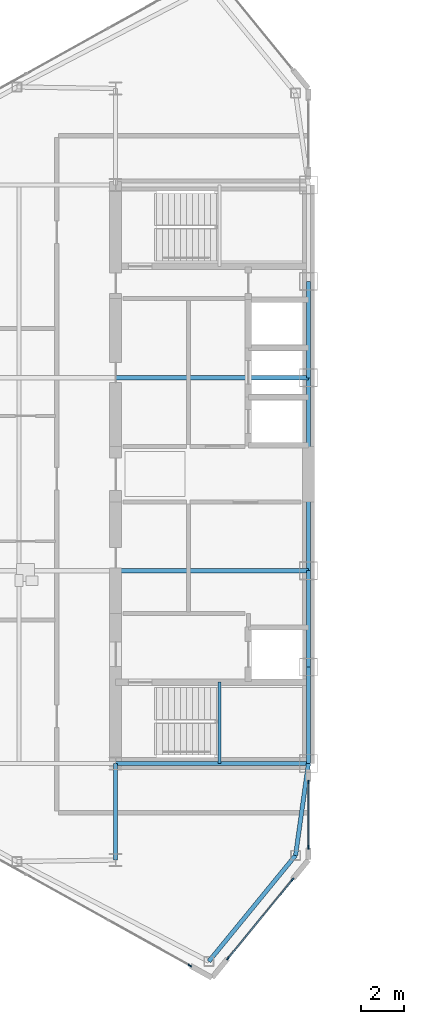
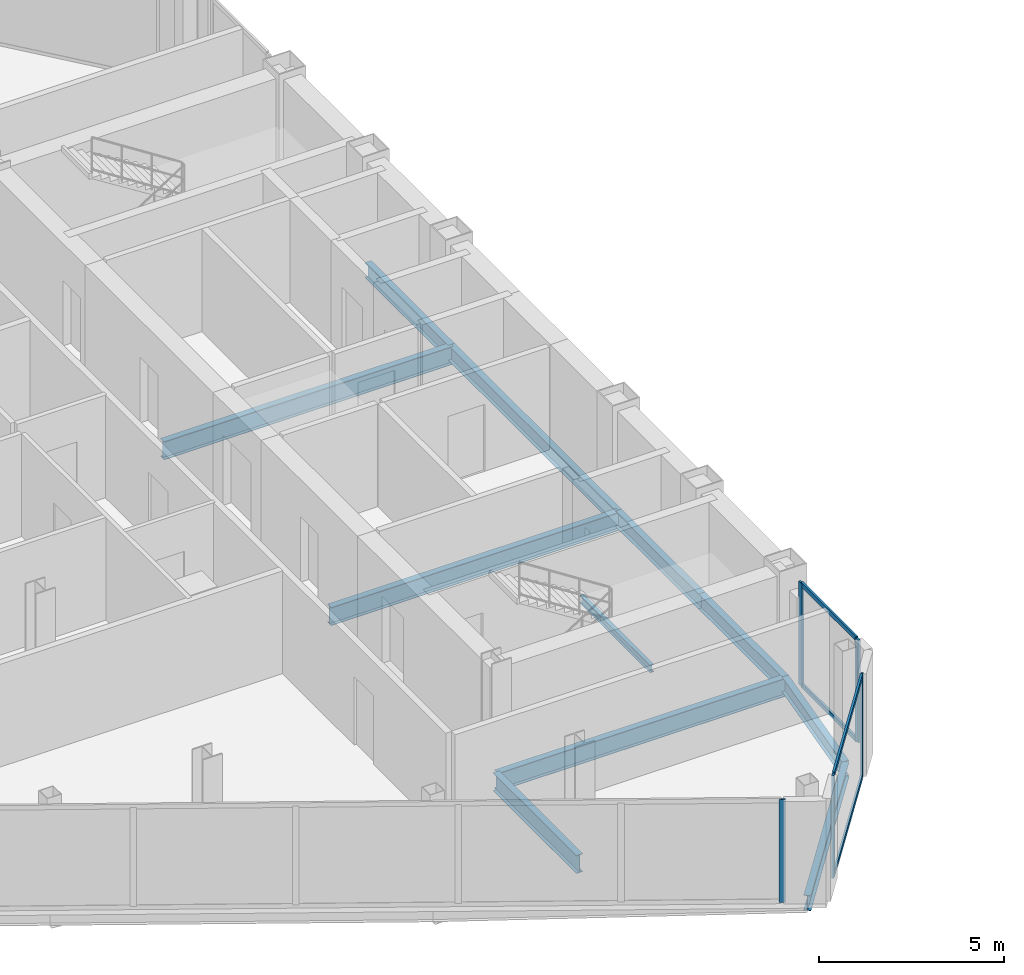
# One storey, part 7 of 25: 11 beams, 9 members, 3 elements without a shape of their own.
"""IFC4 building model written with IfcOpenShell, lengths in metres."""

import ifcopenshell
import ifcopenshell.guid

model = None  # the IFC model being written
_history = None  # IfcOwnerHistory: only IFC2X3 demands one
_inside = {}  # id of a spatial element -> (the spatial element, [elements in it])
_under = {}  # id of a project, library or spatial element -> (it, [spatial elements below it])
_declared = {}  # id of a project -> (the project, [libraries it declares])
_typed = {}  # id of a type object -> (the type object, [elements of that type])
_made_of = {}  # id of a material, layer set ... -> (it, [elements and type objects made of it])


def new_model(schema):
    """Start an empty IFC model of exactly this schema.

    Asked for "IFC4X3", IfcOpenShell would pick the latest addendum, in which some entities
    have other attributes; the version numbers below select the first issue.
    IFC2X3 requires an IfcOwnerHistory on every rooted entity: one is made here for all.
    """
    global model, _history
    if schema == "IFC4X3":
        model = ifcopenshell.file(schema_version=(4, 3, 0, 0))
    else:
        model = ifcopenshell.file(schema=schema)
    _inside.clear()
    _under.clear()
    _declared.clear()
    _typed.clear()
    _made_of.clear()
    _history = None
    if model.schema == "IFC2X3":
        org = make("IfcOrganization", Name="unknown")
        user = make(
            "IfcPersonAndOrganization",
            ThePerson=make("IfcPerson", FamilyName="unknown"),
            TheOrganization=org,
        )
        app = make(
            "IfcApplication",
            ApplicationDeveloper=org,
            Version="unknown",
            ApplicationFullName="unknown",
            ApplicationIdentifier="unknown",
        )
        _history = make(
            "IfcOwnerHistory",
            OwningUser=user,
            OwningApplication=app,
            ChangeAction="ADDED",
            CreationDate=0,
        )
    return model


def make(cls, **values):
    """One entity of the class cls with the attributes given. An attribute that is None is left unset."""
    return model.create_entity(
        cls, **{name: value for name, value in values.items() if value is not None}
    )


def rooted(cls, **values):
    """An entity with a GlobalId (a new one), such as an element, a storey or a relation."""
    return make(cls, GlobalId=ifcopenshell.guid.new(), OwnerHistory=_history, **values)


def si_unit(unit_type, name, prefix=None):
    """IfcSIUnit, for example si_unit("LENGTHUNIT", "METRE", prefix="MILLI")."""
    return make("IfcSIUnit", UnitType=unit_type, Prefix=prefix, Name=name)


def assignment(units):
    """IfcUnitAssignment: the units of a project."""
    return None if units is None else make("IfcUnitAssignment", Units=units)


def point(xyz):
    """IfcCartesianPoint."""
    return None if xyz is None else make("IfcCartesianPoint", Coordinates=xyz)


def direction(xyz):
    """IfcDirection."""
    return None if xyz is None else make("IfcDirection", DirectionRatios=xyz)


def frame(location, z_axis=None, x_axis=None):
    """IfcAxis2Placement3D, a coordinate frame: its origin and axes. An axis left out is left unset."""
    return make(
        "IfcAxis2Placement3D",
        Location=point(location),
        Axis=direction(z_axis),
        RefDirection=direction(x_axis),
    )


def frame_2d(location, x_axis=None):
    """IfcAxis2Placement2D, a coordinate frame in the plane: its origin and x axis."""
    return make(
        "IfcAxis2Placement2D", Location=point(location), RefDirection=direction(x_axis)
    )


def origin():
    """The frame at (0, 0, 0) with its axes left unset."""
    return frame((0.0, 0.0, 0.0))


def origin_2d():
    """The frame at (0, 0) in the plane with its x axis left unset."""
    return frame_2d((0.0, 0.0))


def place(relative_to, where):
    """IfcLocalPlacement: puts the frame where relative to a parent placement (None: the world)."""
    return make(
        "IfcLocalPlacement", PlacementRelTo=relative_to, RelativePlacement=where
    )


def context(
    kind, dimensions, precision=None, world=None, true_north=None, identifier=None
):
    """IfcGeometricRepresentationContext, for example the 3D "Model" context."""
    return make(
        "IfcGeometricRepresentationContext",
        ContextIdentifier=identifier,
        ContextType=kind,
        CoordinateSpaceDimension=dimensions,
        Precision=precision,
        WorldCoordinateSystem=world,
        TrueNorth=true_north,
    )


def subcontext(parent, identifier, kind, view, scale=None):
    """IfcGeometricRepresentationSubContext, for example "Body" below "Model"."""
    return make(
        "IfcGeometricRepresentationSubContext",
        ContextIdentifier=identifier,
        ContextType=kind,
        ParentContext=parent,
        TargetScale=scale,
        TargetView=view,
    )


def project(units=None, contexts=None):
    """IfcProject with its units and contexts."""
    return rooted(
        "IfcProject",
        Name="project",
        RepresentationContexts=contexts,
        UnitsInContext=assignment(units),
    )


def spatial(cls, under=None, at=None, **own):
    """A site, building, storey or space (cls), placed at a placement, below another one or the project."""
    s = rooted(cls, ObjectPlacement=at, **own)
    if under is not None:
        _under.setdefault(under.id(), (under, []))[1].append(s)
    return s


def profile(cls, at=None, kind="AREA", **sizes):
    """A parametric profile (cls). Its sizes go by their IFC names, for example OverallWidth=200.0."""
    return make(cls, ProfileType=kind, Position=at, **sizes)


def rectangle(**sizes):
    """IfcRectangleProfileDef."""
    return profile("IfcRectangleProfileDef", **sizes)


def i_section(**sizes):
    """IfcIShapeProfileDef."""
    return profile("IfcIShapeProfileDef", **sizes)


def extrude(swept, where, along, depth):
    """IfcExtrudedAreaSolid: the profile swept, set in the frame where, extruded along a direction by depth."""
    return make(
        "IfcExtrudedAreaSolid",
        SweptArea=swept,
        Position=where,
        ExtrudedDirection=direction(along),
        Depth=depth,
    )


def shape(context_of_items, identifier, shape_type, items):
    """IfcShapeRepresentation: the items that make up one representation, for example the "Body"."""
    return make(
        "IfcShapeRepresentation",
        ContextOfItems=context_of_items,
        RepresentationIdentifier=identifier,
        RepresentationType=shape_type,
        Items=items,
    )


def source(mapping_origin, context_of_items, identifier, shape_type, items):
    """IfcRepresentationMap: a shape defined once, which mapped items show again and again."""
    return make(
        "IfcRepresentationMap",
        MappingOrigin=mapping_origin,
        MappedRepresentation=shape(context_of_items, identifier, shape_type, items),
    )


def transform(
    local_origin,
    x_axis=None,
    y_axis=None,
    z_axis=None,
    scale=None,
    scale2=None,
    scale3=None,
    uniform=True,
):
    """IfcCartesianTransformationOperator3D, or its non-uniform kind. x_axis, y_axis, z_axis: its Axis1, 2, 3."""
    if uniform:
        return make(
            "IfcCartesianTransformationOperator3D",
            Axis1=direction(x_axis),
            Axis2=direction(y_axis),
            LocalOrigin=point(local_origin),
            Scale=scale,
            Axis3=direction(z_axis),
        )
    return make(
        "IfcCartesianTransformationOperator3DnonUniform",
        Axis1=direction(x_axis),
        Axis2=direction(y_axis),
        LocalOrigin=point(local_origin),
        Scale=scale,
        Axis3=direction(z_axis),
        Scale2=scale2,
        Scale3=scale3,
    )


def mapped(mapping_source, mapping_target):
    """IfcMappedItem: shows the shape of a source again, moved by a transform."""
    return make(
        "IfcMappedItem", MappingSource=mapping_source, MappingTarget=mapping_target
    )


def material(Name=None, Category=None):
    """IfcMaterial."""
    return make("IfcMaterial", Name=Name, Category=Category)


def layer(
    of_material, thickness, ventilated=None, Name=None, Category=None, Priority=None
):
    """IfcMaterialLayer: one layer of a wall or slab, of a material (None: an air gap)."""
    return make(
        "IfcMaterialLayer",
        Material=of_material,
        LayerThickness=thickness,
        IsVentilated=ventilated,
        Name=Name,
        Category=Category,
        Priority=Priority,
    )


def layer_set(layers, Name=None):
    """IfcMaterialLayerSet."""
    return make("IfcMaterialLayerSet", MaterialLayers=layers, LayerSetName=Name)


def material_profile(
    of_material, cross_section, Name=None, Category=None, Priority=None
):
    """IfcMaterialProfile: a cross section and its material."""
    return make(
        "IfcMaterialProfile",
        Name=Name,
        Material=of_material,
        Profile=cross_section,
        Priority=Priority,
        Category=Category,
    )


def profile_set(profiles, Name=None, composite=None):
    """IfcMaterialProfileSet."""
    return make(
        "IfcMaterialProfileSet",
        Name=Name,
        MaterialProfiles=profiles,
        CompositeProfile=composite,
    )


def made_of(thing, what):
    """Note that an element or type object is made of a material, layer set ...; save() writes the relation."""
    if what is not None:
        _made_of.setdefault(what.id(), (what, []))[1].append(thing)
    return thing


def type_object(cls, material=None, **own):
    """A type object (cls), such as IfcWallType, which elements share."""
    return made_of(rooted(cls, **own), material)


def type_shapes(of_type, sources):
    """Give a type object the sources (RepresentationMaps) that its elements show as mapped items."""
    of_type.RepresentationMaps = sources


def element(
    cls,
    number,
    at=None,
    inside=None,
    cuts=None,
    type_object=None,
    material=None,
    context=None,
    identifier="Body",
    shape_type=None,
    held_by="IfcProductDefinitionShape",
    body=None,
    shapes=None,
    **own,
):
    """One element of the class cls, such as IfcWall. Its Tag is "e" and its number.

    at: its placement. inside: the storey or other place that contains it. cuts: it is an
    opening in that element (IfcRelVoidsElement). A single representation is given by context,
    identifier, shape_type and body (its items); several are given by shapes. held_by: the class
    of the entity that holds the representations. save() writes the other relations.
    """
    e = rooted(cls, Tag="e%d" % number, ObjectPlacement=at, **own)
    if body is not None:
        shapes = [shape(context, identifier, shape_type, body)]
    if shapes is not None:
        e.Representation = make(held_by, Representations=shapes)
    if inside is not None:
        _inside.setdefault(inside.id(), (inside, []))[1].append(e)
    if cuts is not None:
        rooted(
            "IfcRelVoidsElement", RelatingBuildingElement=cuts, RelatedOpeningElement=e
        )
    if type_object is not None:
        _typed.setdefault(type_object.id(), (type_object, []))[1].append(e)
    return made_of(e, material)


def aggregate(whole, parts):
    """IfcRelAggregates: a whole, such as a stair, and the parts it consists of."""
    return rooted("IfcRelAggregates", RelatingObject=whole, RelatedObjects=parts)


def save(model, path):
    """Write the relations noted so far, then the file.

    IfcRelAggregates (storeys below a building ...), IfcRelContainedInSpatialStructure (elements
    in a storey), IfcRelDefinesByType, IfcRelAssociatesMaterial and IfcRelDeclares: one each for
    every whole, place, type object, material and project.
    """
    for whole, parts in _under.values():
        aggregate(whole, parts)
    for where, things in _inside.values():
        rooted(
            "IfcRelContainedInSpatialStructure",
            RelatedElements=things,
            RelatingStructure=where,
        )
    for kind, things in _typed.values():
        rooted("IfcRelDefinesByType", RelatedObjects=things, RelatingType=kind)
    for what, things in _made_of.values():
        rooted("IfcRelAssociatesMaterial", RelatedObjects=things, RelatingMaterial=what)
    for by, libraries in _declared.values():
        rooted("IfcRelDeclares", RelatingContext=by, RelatedDefinitions=libraries)
    model.write(path)


model = new_model("IFC4")

# Units and contexts
model_context = context("Model", 3, precision=1e-05, world=origin(), true_north=direction((0.0, 1.0)))
body_context = subcontext(model_context, "Body", "Model", "MODEL_VIEW")
ifc_project = project(units=[si_unit("LENGTHUNIT", "METRE"), si_unit("AREAUNIT", "SQUARE_METRE"), si_unit("VOLUMEUNIT", "CUBIC_METRE"), si_unit("PLANEANGLEUNIT", "RADIAN"), si_unit("MASSUNIT", "GRAM", prefix="KILO")], contexts=[model_context])

# Site, building, storey
site_placement = place(None, origin())
site = spatial("IfcSite", under=ifc_project, at=site_placement, CompositionType="ELEMENT")
building_placement = place(site_placement, origin())
building = spatial("IfcBuilding", under=site, at=building_placement, Name="Seokmaru Belvedere", CompositionType="ELEMENT")
storey_placement = place(building_placement, frame((0.0, 0.0, 188.699951171875)))
storey = spatial("IfcBuildingStorey", under=building, at=storey_placement, Name="L50", CompositionType="ELEMENT", Elevation=188.699951171875)

# Beams
ifc_material_1 = material(Name="Steel SM355 (355 MPa)", Category="steel")
ifc_material_profile_1 = material_profile(ifc_material_1, i_section(OverallWidth=0.199951171875, OverallDepth=0.5, WebThickness=0.010009765625, FlangeThickness=0.01611328125, at=origin_2d()), Name="H-500x200x10x16")
ifc_profile_set_1 = profile_set([ifc_material_profile_1], Name="Steel SM355 (355 MPa)")
beam_type_1 = type_object("IfcBeamType", Name="Perimeter Spandrel Beam H-500", PredefinedType="SPANDREL", material=ifc_profile_set_1)
shared_shape_1 = source(origin(), body_context, "Body", "SweptSolid", [
    extrude(i_section(OverallWidth=0.199951171875, OverallDepth=0.5, WebThickness=0.010009765625, FlangeThickness=0.01611328125, at=origin_2d()), origin(), (0.0, 0.0, 1.0), 4.5),
])
for number, where, z_axis, x_axis, name in (
    (1, (-27.5, -13.5, -0.469970703125), (0.0, 1.0, 0.0), (-1.0, 0.0, 0.0), "L50 W Portal Spine Spandrel 1"),
    (2, (-27.5, -9.0, -0.469970703125), (0.0, 1.0, 0.0), (-1.0, 0.0, 0.0), "L50 W Portal Spine Spandrel 2"),
    (3, (-27.5, 4.5, -0.469970703125), (0.0, 1.0, 0.0), (-1.0, 0.0, 0.0), "L50 W Portal Spine Spandrel 4"),
):
    element("IfcBeam", number, at=place(storey_placement, frame(where, z_axis=z_axis, x_axis=x_axis)), inside=storey, type_object=beam_type_1, Name=name, PredefinedType="SPANDREL", context=body_context, shape_type="MappedRepresentation", body=[
        mapped(shared_shape_1, transform((0.0, 0.0, 0.0), scale=1.0)),
    ])
shared_shape_2 = source(origin(), body_context, "Body", "SweptSolid", [
    extrude(i_section(OverallWidth=0.199951171875, OverallDepth=0.5, WebThickness=0.010009765625, FlangeThickness=0.01611328125, at=origin_2d()), origin(), (0.0, 0.0, 1.0), 9.0),
])
beam_1_placement = place(storey_placement, frame((-27.5, -4.5, -0.469970703125), z_axis=(0.0, 1.0, 0.0), x_axis=(-1.0, 0.0, 0.0)))
element("IfcBeam", 4, at=beam_1_placement, inside=storey, type_object=beam_type_1, Name="L50 W Portal Spine Spandrel 3", PredefinedType="SPANDREL", context=body_context, shape_type="MappedRepresentation", body=[
    mapped(shared_shape_2, transform((0.0, 0.0, 0.0), scale=1.0)),
])
ifc_material_profile_2 = material_profile(ifc_material_1, i_section(OverallWidth=0.199951171875, OverallDepth=0.60009765625, WebThickness=0.010986328125, FlangeThickness=0.01708984375, at=origin_2d()), Name="H-600x200x11x17")
ifc_profile_set_2 = profile_set([ifc_material_profile_2], Name="Steel SM355 (355 MPa)")
beam_type_2 = type_object("IfcBeamType", Name="Primary Floor Girder H-600", PredefinedType="BEAM", material=ifc_profile_set_2)
shared_shape_3 = source(origin(), body_context, "Body", "SweptSolid", [
    extrude(i_section(OverallWidth=0.199951171875, OverallDepth=0.60009765625, WebThickness=0.010986328125, FlangeThickness=0.01708984375, at=origin_2d()), origin(), (0.0, 0.0, 1.0), 9.0),
])
for number, where, z_axis, x_axis, name in (
    (5, (-36.5, -13.5, -0.52001953125), (1.0, 0.0, 0.0), (0.0, 1.0, 0.0), "L50 W Core Tie Girder 1"),
    (6, (-36.5, -4.5, -0.52001953125), (1.0, 0.0, 0.0), (0.0, 1.0, 0.0), "L50 W Core Tie Girder 2"),
    (7, (-36.5, 4.5, -0.52001953125), (1.0, 0.0, 0.0), (0.0, 1.0, 0.0), "L50 W Core Tie Girder 3"),
):
    element("IfcBeam", number, at=place(storey_placement, frame(where, z_axis=z_axis, x_axis=x_axis)), inside=storey, type_object=beam_type_2, Name=name, PredefinedType="BEAM", context=body_context, shape_type="MappedRepresentation", body=[
        mapped(shared_shape_3, transform((0.0, 0.0, 0.0), scale=1.0)),
    ])
shared_shape_4 = source(origin(), body_context, "Body", "SweptSolid", [
    extrude(i_section(OverallWidth=0.199951171875, OverallDepth=0.60009765625, WebThickness=0.010986328125, FlangeThickness=0.01708984375, at=origin_2d()), origin(), (0.0, 0.0, 1.0), 4.5),
])
type_shapes(beam_type_2, [shared_shape_3, shared_shape_4])
beam_2_placement = place(storey_placement, frame((-36.5, -18.0, -0.52001953125), z_axis=(0.0, 1.0, 0.0), x_axis=(-1.0, 0.0, 0.0)))
element("IfcBeam", 8, at=beam_2_placement, inside=storey, type_object=beam_type_2, Name="L50 W Core Shoulder Girder S", PredefinedType="BEAM", context=body_context, shape_type="MappedRepresentation", body=[
    mapped(shared_shape_4, transform((0.0, 0.0, 0.0), scale=1.0)),
])
shared_shape_5 = source(origin(), body_context, "Body", "SweptSolid", [
    extrude(i_section(OverallWidth=0.199951171875, OverallDepth=0.5, WebThickness=0.010009765625, FlangeThickness=0.01611328125, at=origin_2d()), origin(), (0.0, 0.0, 1.0), 6.390380859375),
])
beam_3_placement = place(storey_placement, frame((-32.146728515625, -22.731689453125, -0.469970703125), z_axis=(0.63324403161, 0.7739521926, 0.0), x_axis=(-0.7739521926, 0.63324403161, 0.0)))
element("IfcBeam", 9, at=beam_3_placement, inside=storey, type_object=beam_type_1, Name="L50 W Shoulder Chamfer Spandrel S", PredefinedType="SPANDREL", context=body_context, shape_type="MappedRepresentation", body=[
    mapped(shared_shape_5, transform((0.0, 0.0, 0.0), scale=1.0)),
])
shared_shape_6 = source(origin(), body_context, "Body", "SweptSolid", [
    extrude(i_section(OverallWidth=0.199951171875, OverallDepth=0.5, WebThickness=0.010009765625, FlangeThickness=0.01611328125, at=origin_2d()), origin(), (0.0, 0.0, 1.0), 4.32763671875),
])
type_shapes(beam_type_1, [shared_shape_1, shared_shape_2, shared_shape_5, shared_shape_6])
beam_4_placement = place(storey_placement, frame((-28.10009765625, -17.785888671875, -0.469970703125), z_axis=(0.138664443237, 0.990339422714, 0.0), x_axis=(-0.990339422714, 0.138664443237, 0.0)))
element("IfcBeam", 10, at=beam_4_placement, inside=storey, type_object=beam_type_1, Name="L50 W Shoulder Spine Spandrel S", PredefinedType="SPANDREL", context=body_context, shape_type="MappedRepresentation", body=[
    mapped(shared_shape_6, transform((0.0, 0.0, 0.0), scale=1.0)),
])

# Curtain wall, members
ifc_material_2 = material(Name="Bronze Triple Insulating Glass", Category="glass")
ifc_layer = layer(ifc_material_2, 0.179931640625)
ifc_layer_set = layer_set([ifc_layer], Name="Bronze Triple Insulating Glass")
curtain_wall_type = type_object("IfcCurtainWallType", Name="High-Rise Wind-Corner Curtain Wall System CW-5", PredefinedType="NOTDEFINED", material=ifc_layer_set)
curtain_wall_1_placement = place(storey_placement, origin())
curtain_wall_1 = element("IfcCurtainWall", 11, at=curtain_wall_1_placement, inside=storey, type_object=curtain_wall_type, Name="L50 Curtain Wall WSP_1", PredefinedType="NOTDEFINED")
ifc_material_3 = material(Name="Anodised Bronze Aluminium", Category="aluminium")
ifc_material_profile_3 = material_profile(ifc_material_3, rectangle(XDim=0.06494140625, YDim=0.14990234375, at=origin_2d()), Name="CW-T-65x150")
ifc_profile_set_3 = profile_set([ifc_material_profile_3], Name="Anodised Bronze Aluminium")
member_type_1 = type_object("IfcMemberType", Name="Bronze Unitised Transom 65x150", PredefinedType="USERDEFINED", material=ifc_profile_set_3)
shared_shape_7 = source(origin(), body_context, "Body", "SweptSolid", [
    extrude(rectangle(XDim=0.06494140625, YDim=0.14990234375, at=origin_2d()), origin(), (0.0, 0.0, 1.0), 2.969970703125),
])
member_1_placement = place(storey_placement, frame((-27.5, -17.364990234375, 0.032470703125), z_axis=(0.0, 1.0, 0.0), x_axis=(-1.0, 0.0, 0.0)))
member_1 = element("IfcMember", 12, at=member_1_placement, type_object=member_type_1, Name="CW:L50:WSP_1 Continuous Transom 1", ObjectType="TRANSOM", PredefinedType="USERDEFINED", context=body_context, shape_type="MappedRepresentation", body=[
    mapped(shared_shape_7, transform((0.0, 0.0, 0.0), scale=1.0)),
])
member_2_placement = place(storey_placement, frame((-27.5, -17.364990234375, 3.34765625), z_axis=(0.0, 1.0, 0.0), x_axis=(-1.0, 0.0, 0.0)))
member_2 = element("IfcMember", 13, at=member_2_placement, type_object=member_type_1, Name="CW:L50:WSP_1 Continuous Transom 2", ObjectType="TRANSOM", PredefinedType="USERDEFINED", context=body_context, shape_type="MappedRepresentation", body=[
    mapped(shared_shape_7, transform((0.0, 0.0, 0.0), scale=1.0)),
])

curtain_wall_2_placement = place(storey_placement, origin())
curtain_wall_2 = element("IfcCurtainWall", 14, at=curtain_wall_2_placement, inside=storey, type_object=curtain_wall_type, Name="L50 Curtain Wall WF6", PredefinedType="NOTDEFINED")
shared_shape_8 = source(origin(), body_context, "Body", "SweptSolid", [
    extrude(rectangle(XDim=0.06494140625, YDim=0.14990234375, at=origin_2d()), origin(), (0.0, 0.0, 1.0), 4.67626953125),
])
type_shapes(member_type_1, [shared_shape_7, shared_shape_8])
member_3_placement = place(storey_placement, frame((-31.230712890625, -22.5595703125, 0.032470703125), z_axis=(0.633277591216, 0.773924733074, 0.0), x_axis=(-0.773924733074, 0.633277591216, 0.0)))
member_3 = element("IfcMember", 15, at=member_3_placement, type_object=member_type_1, Name="CW:L50:WF6 Continuous Transom 1", ObjectType="TRANSOM", PredefinedType="USERDEFINED", context=body_context, shape_type="MappedRepresentation", body=[
    mapped(shared_shape_8, transform((0.0, 0.0, 0.0), scale=1.0)),
])
member_4_placement = place(storey_placement, frame((-31.230712890625, -22.5595703125, 3.34765625), z_axis=(0.633277591216, 0.773924733074, 0.0), x_axis=(-0.773924733074, 0.633277591216, 0.0)))
member_4 = element("IfcMember", 16, at=member_4_placement, type_object=member_type_1, Name="CW:L50:WF6 Continuous Transom 2", ObjectType="TRANSOM", PredefinedType="USERDEFINED", context=body_context, shape_type="MappedRepresentation", body=[
    mapped(shared_shape_8, transform((0.0, 0.0, 0.0), scale=1.0)),
])

# Member
ifc_material_profile_4 = material_profile(ifc_material_3, rectangle(XDim=0.06494140625, YDim=0.179931640625, at=origin_2d()), Name="CW-M-65x180")
ifc_profile_set_4 = profile_set([ifc_material_profile_4], Name="Anodised Bronze Aluminium")
member_type_2 = type_object("IfcMemberType", Name="Bronze Unitised Mullion 65x180", PredefinedType="MULLION", material=ifc_profile_set_4)
shared_shape_9 = source(origin(), body_context, "Body", "SweptSolid", [
    extrude(rectangle(XDim=0.06494140625, YDim=0.179931640625, at=origin_2d()), origin(), (0.0, 0.0, 1.0), 3.380126953125),
])
type_shapes(member_type_2, [shared_shape_9])
member_5_placement = place(storey_placement, frame((-27.5, -17.3974609375, 0.0), z_axis=(0.0, 0.0, 1.0), x_axis=(-1.0, 0.0, 0.0)))
member_5 = element("IfcMember", 17, at=member_5_placement, type_object=member_type_2, Name="CW:L50:WSP_1 Mullion 1", PredefinedType="MULLION", context=body_context, shape_type="MappedRepresentation", body=[
    mapped(shared_shape_9, transform((0.0, 0.0, 0.0), scale=1.0)),
])

member_6_placement = place(storey_placement, frame((-27.5, -14.362548828125, 0.0), z_axis=(0.0, 0.0, 1.0), x_axis=(-1.0, 0.0, 0.0)))
member_6 = element("IfcMember", 18, at=member_6_placement, type_object=member_type_2, Name="CW:L50:WSP_1 Mullion 2", PredefinedType="MULLION", context=body_context, shape_type="MappedRepresentation", body=[
    mapped(shared_shape_9, transform((0.0, 0.0, 0.0), scale=1.0)),
])

aggregate(curtain_wall_1, [member_5, member_6, member_1, member_2])

# Curtain wall, member
curtain_wall_3_placement = place(storey_placement, origin())
curtain_wall_3 = element("IfcCurtainWall", 19, at=curtain_wall_3_placement, inside=storey, type_object=curtain_wall_type, Name="L50 Curtain Wall WF5", PredefinedType="NOTDEFINED")
member_7_placement = place(storey_placement, frame((-33.033447265625, -22.92529296875, 0.0), z_axis=(0.0, 0.0, 1.0), x_axis=(0.486047125147, 0.873932601598, 0.0)))
member_7 = element("IfcMember", 20, at=member_7_placement, type_object=member_type_2, Name="CW:L50:WF5 Mullion 10", PredefinedType="MULLION", context=body_context, shape_type="MappedRepresentation", body=[
    mapped(shared_shape_9, transform((0.0, 0.0, 0.0), scale=1.0)),
])
aggregate(curtain_wall_3, [member_7])

# Member
member_8_placement = place(storey_placement, frame((-31.251220703125, -22.584716796875, 0.0), z_axis=(0.0, 0.0, 1.0), x_axis=(-0.773944112379, 0.633253907144, 0.0)))
member_8 = element("IfcMember", 21, at=member_8_placement, type_object=member_type_2, Name="CW:L50:WF6 Mullion 1", PredefinedType="MULLION", context=body_context, shape_type="MappedRepresentation", body=[
    mapped(shared_shape_9, transform((0.0, 0.0, 0.0), scale=1.0)),
])

member_9_placement = place(storey_placement, frame((-28.248779296875, -18.915283203125, 0.0), z_axis=(0.0, 0.0, 1.0), x_axis=(-0.773944112379, 0.633253907144, 0.0)))
member_9 = element("IfcMember", 22, at=member_9_placement, type_object=member_type_2, Name="CW:L50:WF6 Mullion 2", PredefinedType="MULLION", context=body_context, shape_type="MappedRepresentation", body=[
    mapped(shared_shape_9, transform((0.0, 0.0, 0.0), scale=1.0)),
])

aggregate(curtain_wall_2, [member_8, member_9, member_3, member_4])

# Beam
ifc_material_profile_5 = material_profile(ifc_material_1, i_section(OverallWidth=0.125, OverallDepth=0.25, WebThickness=0.006103515625, FlangeThickness=0.009033203125, at=origin_2d()), Name="H-250x125x6x9")
ifc_profile_set_5 = profile_set([ifc_material_profile_5], Name="Steel SM355 (355 MPa)")
beam_type_3 = type_object("IfcBeamType", Name="Stair Mid-Landing Support Beam H-250", PredefinedType="JOIST", material=ifc_profile_set_5)
shared_shape_10 = source(origin(), body_context, "Body", "SweptSolid", [
    extrude(i_section(OverallWidth=0.125, OverallDepth=0.25, WebThickness=0.006103515625, FlangeThickness=0.009033203125, at=origin_2d()), origin(), (0.0, 0.0, 1.0), 3.800048828125),
])
type_shapes(beam_type_3, [shared_shape_10])
beam_5_placement = place(storey_placement, frame((-31.64990234375, -13.5, 1.47509765625), z_axis=(0.0, 1.0, 0.0), x_axis=(-1.0, 0.0, 0.0)))
element("IfcBeam", 23, at=beam_5_placement, inside=storey, type_object=beam_type_3, Name="L50 Stair ST-W1 Mid-Landing Support Beam 1", PredefinedType="JOIST", context=body_context, shape_type="MappedRepresentation", body=[
    mapped(shared_shape_10, transform((0.0, 0.0, 0.0), scale=1.0)),
])

save(model, "model.ifc")
